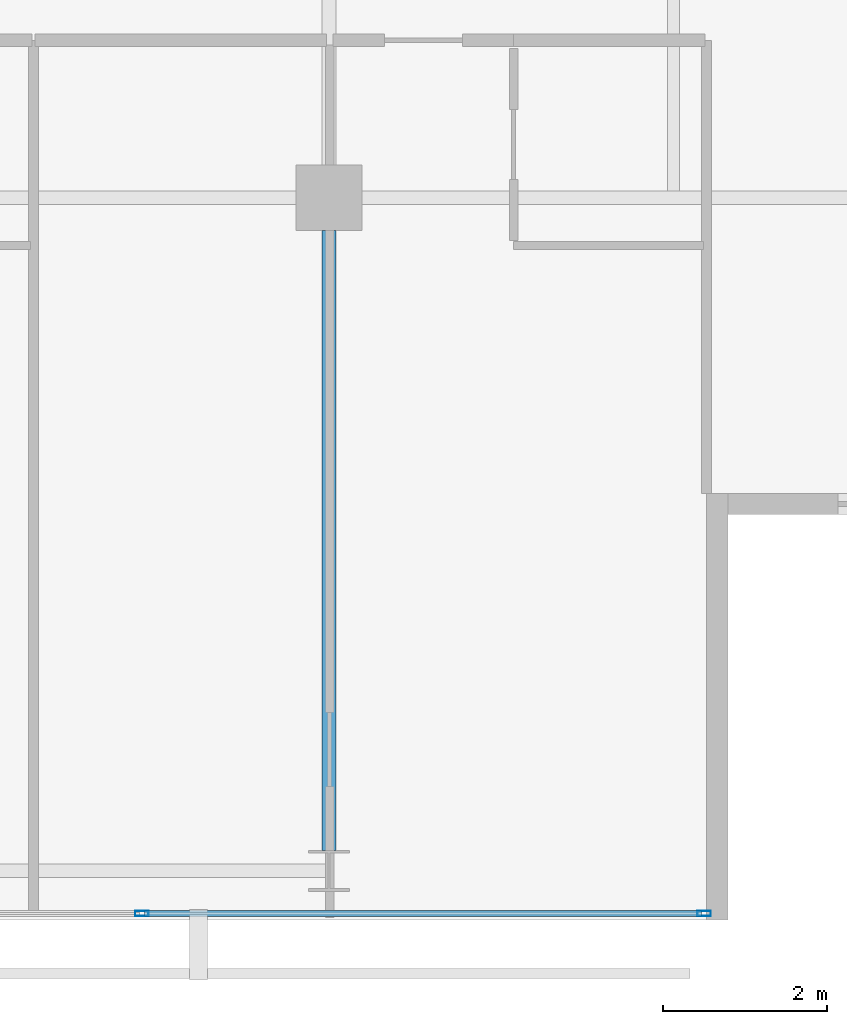
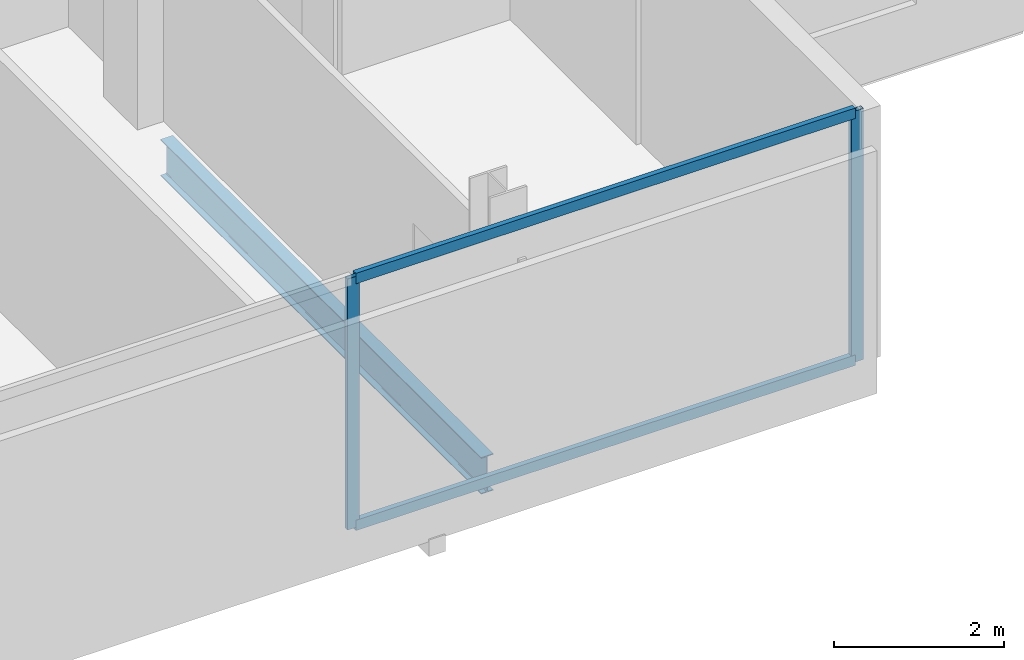
# One storey, part 10 of 26: 4 members, 1 beam, 1 element without a shape of its own.
"""IFC4 building model written with IfcOpenShell, lengths in metres."""

from ifc_helpers import new_model, si_unit, direction, frame, origin, origin_2d, place, context, subcontext, project, spatial, hollow_rectangle, i_section, extrude, material, layer, layer_set, material_profile, profile_set, type_object, element, aggregate, save


model = new_model("IFC4")

# Units and contexts
model_context = context("Model", 3, precision=1e-05, world=origin(), true_north=direction((0.0, 1.0)))
body_context = subcontext(model_context, "Body", "Model", "MODEL_VIEW")
ifc_project = project(units=[si_unit("LENGTHUNIT", "METRE"), si_unit("AREAUNIT", "SQUARE_METRE"), si_unit("VOLUMEUNIT", "CUBIC_METRE"), si_unit("PLANEANGLEUNIT", "RADIAN"), si_unit("MASSUNIT", "GRAM", prefix="KILO")], contexts=[model_context])

# Site, building, storey
site_placement = place(None, origin())
site = spatial("IfcSite", under=ifc_project, at=site_placement, CompositionType="ELEMENT")
building_placement = place(site_placement, origin())
building = spatial("IfcBuilding", under=site, at=building_placement, Name="Maruvema Waterfront Hotel and Observation Tower", CompositionType="ELEMENT")
storey_placement = place(building_placement, frame((0.0, 0.0, 285.60009765625)))
storey = spatial("IfcBuildingStorey", under=building, at=storey_placement, Name="L70", CompositionType="ELEMENT", Elevation=285.60009765625)

# Curtain wall, members
ifc_material_1 = material(Name="Anodised bronze aluminium and solar-control low-E IGU", Category="aluminium")
ifc_layer = layer(ifc_material_1, 0.159912109375, Name="Zone 3 Champagne Inner Thermal Curtain Wall System CW-04")
ifc_layer_set = layer_set([ifc_layer], Name="Anodised bronze aluminium and solar-control low-E IGU")
curtain_wall_type = type_object("IfcCurtainWallType", Name="Zone 3 Champagne Inner Thermal Curtain Wall System CW-04", PredefinedType="USERDEFINED", material=ifc_layer_set)
curtain_wall_placement = place(storey_placement, origin())
curtain_wall = element("IfcCurtainWall", 1, at=curtain_wall_placement, inside=storey, type_object=curtain_wall_type, Name="L70 Curtain Wall CW-L70-S", ObjectType="UNITISED CURTAIN WALL", PredefinedType="USERDEFINED")
ifc_material_2 = material(Name="Anodised architectural bronze aluminium", Category="aluminium")
ifc_material_profile_1 = material_profile(ifc_material_2, hollow_rectangle(XDim=0.070068359375, YDim=0.14990234375, WallThickness=0.00390625, at=origin_2d()), Name="ALU-T70x150")
ifc_profile_set_1 = profile_set([ifc_material_profile_1], Name="Anodised architectural bronze aluminium")
member_type_1 = type_object("IfcMemberType", Name="Curtain Wall Horizontal Transom ALU-T70x150", PredefinedType="USERDEFINED", material=ifc_profile_set_1)
member_1_placement = place(storey_placement, frame((48.14990234375, 9.280029296875, 0.02978515625), z_axis=(1.0, 0.0, 0.0), x_axis=(0.0, 1.0, 0.0)))
member_1 = element("IfcMember", 2, at=member_1_placement, type_object=member_type_1, Name="CW-04 transom 5.1", ObjectType="TRANSOM", PredefinedType="USERDEFINED", context=body_context, shape_type="SweptSolid", body=[
    extrude(hollow_rectangle(XDim=0.070068359375, YDim=0.14990234375, WallThickness=0.00390625, at=origin_2d()), origin(), (0.0, 0.0, 1.0), 6.7900390625),
])
member_2_placement = place(storey_placement, frame((48.14990234375, 9.280029296875, 3.579833984375), z_axis=(1.0, 0.0, 0.0), x_axis=(0.0, 1.0, 0.0)))
member_2 = element("IfcMember", 3, at=member_2_placement, type_object=member_type_1, Name="CW-04 transom 5.2", ObjectType="TRANSOM", PredefinedType="USERDEFINED", context=body_context, shape_type="SweptSolid", body=[
    extrude(hollow_rectangle(XDim=0.070068359375, YDim=0.14990234375, WallThickness=0.00390625, at=origin_2d()), origin(), (0.0, 0.0, 1.0), 6.7900390625),
])
ifc_material_3 = material(Name="Anodised architectural bronze aluminium", Category="aluminium")
ifc_material_profile_2 = material_profile(ifc_material_3, hollow_rectangle(XDim=0.06494140625, YDim=0.1650390625, WallThickness=0.00390625, at=origin_2d()), Name="ALU-M65x165")
ifc_profile_set_2 = profile_set([ifc_material_profile_2], Name="Anodised architectural bronze aluminium")
member_type_2 = type_object("IfcMemberType", Name="Curtain Wall Primary Mullion ALU-M65x165", PredefinedType="MULLION", material=ifc_profile_set_2)
member_3_placement = place(storey_placement, frame((48.1201171875, 9.280029296875, 0.0), z_axis=(0.0, 0.0, 1.0), x_axis=(0.0, 1.0, 0.0)))
member_3 = element("IfcMember", 4, at=member_3_placement, type_object=member_type_2, Name="CW-04 mullion 5", PredefinedType="MULLION", context=body_context, shape_type="SweptSolid", body=[
    extrude(hollow_rectangle(XDim=0.06494140625, YDim=0.1650390625, WallThickness=0.00390625, at=origin_2d()), origin(), (0.0, 0.0, 1.0), 3.60986328125),
])
member_4_placement = place(storey_placement, frame((54.969970703125, 9.280029296875, 0.0), z_axis=(0.0, 0.0, 1.0), x_axis=(0.0, 1.0, 0.0)))
member_4 = element("IfcMember", 5, at=member_4_placement, type_object=member_type_2, Name="CW-04 mullion 6", PredefinedType="MULLION", context=body_context, shape_type="SweptSolid", body=[
    extrude(hollow_rectangle(XDim=0.06494140625, YDim=0.1650390625, WallThickness=0.00390625, at=origin_2d()), origin(), (0.0, 0.0, 1.0), 3.60986328125),
])
aggregate(curtain_wall, [member_3, member_4, member_1, member_2])

# Beam
ifc_material_4 = material(Name="Steel ASTM A572 Grade 50", Category="steel")
ifc_material_profile_3 = material_profile(ifc_material_4, i_section(OverallWidth=0.166015625, OverallDepth=0.529052734375, WebThickness=0.009765625, FlangeThickness=0.013671875, FilletRadius=0.014892578125, at=origin_2d()), Name="W530x74.0")
ifc_profile_set_3 = profile_set([ifc_material_profile_3], Name="Steel ASTM A572 Grade 50")
beam_type = type_object("IfcBeamType", Name="Primary Floor Girder W530x74.0", PredefinedType="BEAM", material=ifc_profile_set_3)
beam_placement = place(storey_placement, frame((50.39990234375, 10.050048828125, -0.504638671875), z_axis=(0.0, 1.0, 0.0), x_axis=(-1.0, 0.0, 0.0)))
element("IfcBeam", 6, at=beam_placement, inside=storey, type_object=beam_type, Name="L70 Floor Girder NS-12", PredefinedType="BEAM", context=body_context, shape_type="SweptSolid", body=[
    extrude(i_section(OverallWidth=0.166015625, OverallDepth=0.529052734375, WebThickness=0.009765625, FlangeThickness=0.013671875, FilletRadius=0.014892578125, at=origin_2d()), origin(), (0.0, 0.0, 1.0), 7.550048828125),
])

save(model, "model.ifc")
